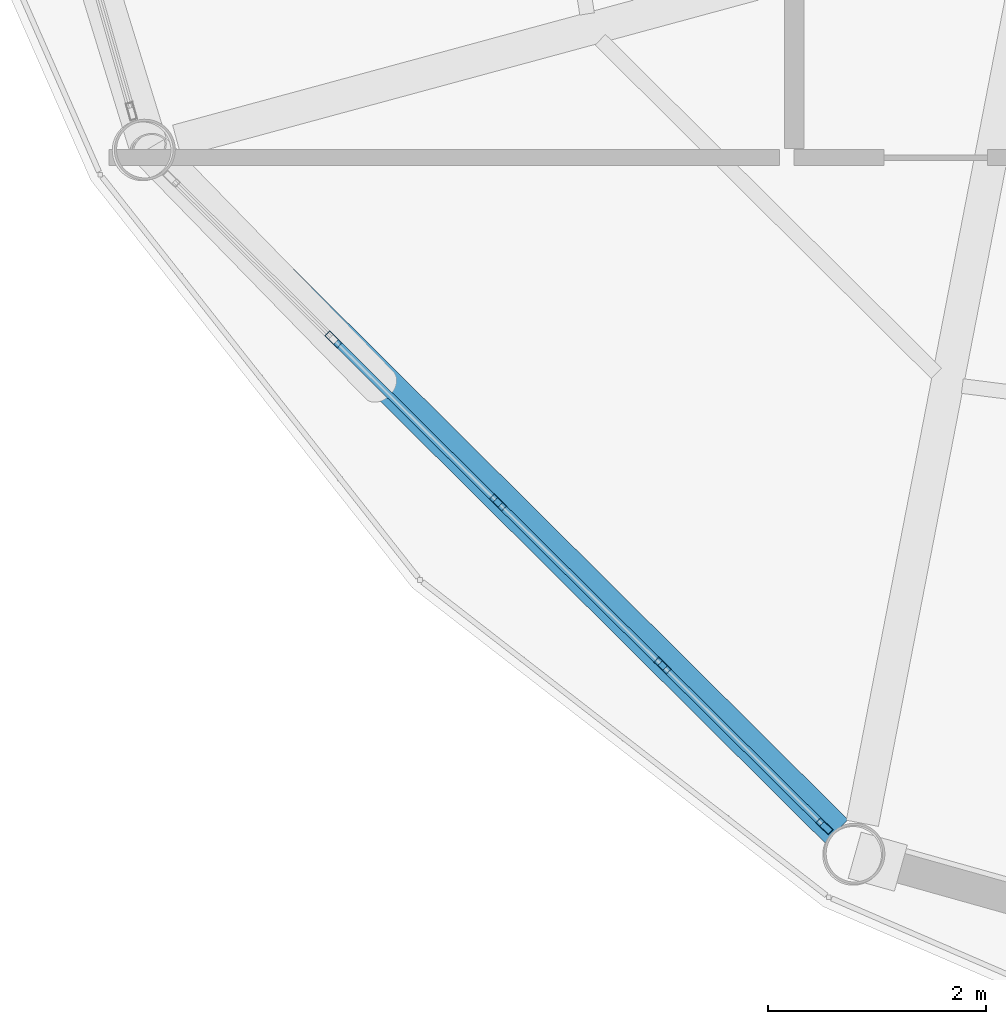
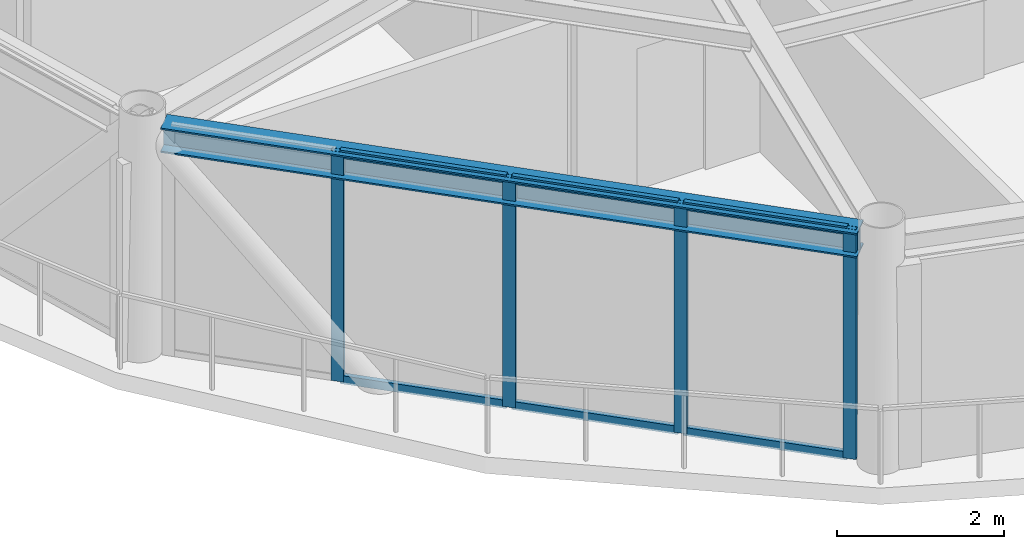
# One storey, part 2 of 25: 10 members, 1 beam, 1 element without a shape of its own.
"""IFC4 building model written with IfcOpenShell, lengths in metres."""

import ifcopenshell
import ifcopenshell.guid

model = None  # the IFC model being written
_history = None  # IfcOwnerHistory: only IFC2X3 demands one
_inside = {}  # id of a spatial element -> (the spatial element, [elements in it])
_under = {}  # id of a project, library or spatial element -> (it, [spatial elements below it])
_declared = {}  # id of a project -> (the project, [libraries it declares])
_typed = {}  # id of a type object -> (the type object, [elements of that type])
_made_of = {}  # id of a material, layer set ... -> (it, [elements and type objects made of it])


def new_model(schema):
    """Start an empty IFC model of exactly this schema.

    Asked for "IFC4X3", IfcOpenShell would pick the latest addendum, in which some entities
    have other attributes; the version numbers below select the first issue.
    IFC2X3 requires an IfcOwnerHistory on every rooted entity: one is made here for all.
    """
    global model, _history
    if schema == "IFC4X3":
        model = ifcopenshell.file(schema_version=(4, 3, 0, 0))
    else:
        model = ifcopenshell.file(schema=schema)
    _inside.clear()
    _under.clear()
    _declared.clear()
    _typed.clear()
    _made_of.clear()
    _history = None
    if model.schema == "IFC2X3":
        org = make("IfcOrganization", Name="unknown")
        user = make(
            "IfcPersonAndOrganization",
            ThePerson=make("IfcPerson", FamilyName="unknown"),
            TheOrganization=org,
        )
        app = make(
            "IfcApplication",
            ApplicationDeveloper=org,
            Version="unknown",
            ApplicationFullName="unknown",
            ApplicationIdentifier="unknown",
        )
        _history = make(
            "IfcOwnerHistory",
            OwningUser=user,
            OwningApplication=app,
            ChangeAction="ADDED",
            CreationDate=0,
        )
    return model


def make(cls, **values):
    """One entity of the class cls with the attributes given. An attribute that is None is left unset."""
    return model.create_entity(
        cls, **{name: value for name, value in values.items() if value is not None}
    )


def rooted(cls, **values):
    """An entity with a GlobalId (a new one), such as an element, a storey or a relation."""
    return make(cls, GlobalId=ifcopenshell.guid.new(), OwnerHistory=_history, **values)


def si_unit(unit_type, name, prefix=None):
    """IfcSIUnit, for example si_unit("LENGTHUNIT", "METRE", prefix="MILLI")."""
    return make("IfcSIUnit", UnitType=unit_type, Prefix=prefix, Name=name)


def assignment(units):
    """IfcUnitAssignment: the units of a project."""
    return None if units is None else make("IfcUnitAssignment", Units=units)


def point(xyz):
    """IfcCartesianPoint."""
    return None if xyz is None else make("IfcCartesianPoint", Coordinates=xyz)


def direction(xyz):
    """IfcDirection."""
    return None if xyz is None else make("IfcDirection", DirectionRatios=xyz)


def frame(location, z_axis=None, x_axis=None):
    """IfcAxis2Placement3D, a coordinate frame: its origin and axes. An axis left out is left unset."""
    return make(
        "IfcAxis2Placement3D",
        Location=point(location),
        Axis=direction(z_axis),
        RefDirection=direction(x_axis),
    )


def frame_2d(location, x_axis=None):
    """IfcAxis2Placement2D, a coordinate frame in the plane: its origin and x axis."""
    return make(
        "IfcAxis2Placement2D", Location=point(location), RefDirection=direction(x_axis)
    )


def origin():
    """The frame at (0, 0, 0) with its axes left unset."""
    return frame((0.0, 0.0, 0.0))


def origin_2d():
    """The frame at (0, 0) in the plane with its x axis left unset."""
    return frame_2d((0.0, 0.0))


def place(relative_to, where):
    """IfcLocalPlacement: puts the frame where relative to a parent placement (None: the world)."""
    return make(
        "IfcLocalPlacement", PlacementRelTo=relative_to, RelativePlacement=where
    )


def context(
    kind, dimensions, precision=None, world=None, true_north=None, identifier=None
):
    """IfcGeometricRepresentationContext, for example the 3D "Model" context."""
    return make(
        "IfcGeometricRepresentationContext",
        ContextIdentifier=identifier,
        ContextType=kind,
        CoordinateSpaceDimension=dimensions,
        Precision=precision,
        WorldCoordinateSystem=world,
        TrueNorth=true_north,
    )


def subcontext(parent, identifier, kind, view, scale=None):
    """IfcGeometricRepresentationSubContext, for example "Body" below "Model"."""
    return make(
        "IfcGeometricRepresentationSubContext",
        ContextIdentifier=identifier,
        ContextType=kind,
        ParentContext=parent,
        TargetScale=scale,
        TargetView=view,
    )


def project(units=None, contexts=None):
    """IfcProject with its units and contexts."""
    return rooted(
        "IfcProject",
        Name="project",
        RepresentationContexts=contexts,
        UnitsInContext=assignment(units),
    )


def spatial(cls, under=None, at=None, **own):
    """A site, building, storey or space (cls), placed at a placement, below another one or the project."""
    s = rooted(cls, ObjectPlacement=at, **own)
    if under is not None:
        _under.setdefault(under.id(), (under, []))[1].append(s)
    return s


def profile(cls, at=None, kind="AREA", **sizes):
    """A parametric profile (cls). Its sizes go by their IFC names, for example OverallWidth=200.0."""
    return make(cls, ProfileType=kind, Position=at, **sizes)


def hollow_rectangle(**sizes):
    """IfcRectangleHollowProfileDef."""
    return profile("IfcRectangleHollowProfileDef", **sizes)


def i_section(**sizes):
    """IfcIShapeProfileDef."""
    return profile("IfcIShapeProfileDef", **sizes)


def extrude(swept, where, along, depth):
    """IfcExtrudedAreaSolid: the profile swept, set in the frame where, extruded along a direction by depth."""
    return make(
        "IfcExtrudedAreaSolid",
        SweptArea=swept,
        Position=where,
        ExtrudedDirection=direction(along),
        Depth=depth,
    )


def shape(context_of_items, identifier, shape_type, items):
    """IfcShapeRepresentation: the items that make up one representation, for example the "Body"."""
    return make(
        "IfcShapeRepresentation",
        ContextOfItems=context_of_items,
        RepresentationIdentifier=identifier,
        RepresentationType=shape_type,
        Items=items,
    )


def material(Name=None, Category=None):
    """IfcMaterial."""
    return make("IfcMaterial", Name=Name, Category=Category)


def layer(
    of_material, thickness, ventilated=None, Name=None, Category=None, Priority=None
):
    """IfcMaterialLayer: one layer of a wall or slab, of a material (None: an air gap)."""
    return make(
        "IfcMaterialLayer",
        Material=of_material,
        LayerThickness=thickness,
        IsVentilated=ventilated,
        Name=Name,
        Category=Category,
        Priority=Priority,
    )


def layer_set(layers, Name=None):
    """IfcMaterialLayerSet."""
    return make("IfcMaterialLayerSet", MaterialLayers=layers, LayerSetName=Name)


def material_profile(
    of_material, cross_section, Name=None, Category=None, Priority=None
):
    """IfcMaterialProfile: a cross section and its material."""
    return make(
        "IfcMaterialProfile",
        Name=Name,
        Material=of_material,
        Profile=cross_section,
        Priority=Priority,
        Category=Category,
    )


def profile_set(profiles, Name=None, composite=None):
    """IfcMaterialProfileSet."""
    return make(
        "IfcMaterialProfileSet",
        Name=Name,
        MaterialProfiles=profiles,
        CompositeProfile=composite,
    )


def made_of(thing, what):
    """Note that an element or type object is made of a material, layer set ...; save() writes the relation."""
    if what is not None:
        _made_of.setdefault(what.id(), (what, []))[1].append(thing)
    return thing


def type_object(cls, material=None, **own):
    """A type object (cls), such as IfcWallType, which elements share."""
    return made_of(rooted(cls, **own), material)


def element(
    cls,
    number,
    at=None,
    inside=None,
    cuts=None,
    type_object=None,
    material=None,
    context=None,
    identifier="Body",
    shape_type=None,
    held_by="IfcProductDefinitionShape",
    body=None,
    shapes=None,
    **own,
):
    """One element of the class cls, such as IfcWall. Its Tag is "e" and its number.

    at: its placement. inside: the storey or other place that contains it. cuts: it is an
    opening in that element (IfcRelVoidsElement). A single representation is given by context,
    identifier, shape_type and body (its items); several are given by shapes. held_by: the class
    of the entity that holds the representations. save() writes the other relations.
    """
    e = rooted(cls, Tag="e%d" % number, ObjectPlacement=at, **own)
    if body is not None:
        shapes = [shape(context, identifier, shape_type, body)]
    if shapes is not None:
        e.Representation = make(held_by, Representations=shapes)
    if inside is not None:
        _inside.setdefault(inside.id(), (inside, []))[1].append(e)
    if cuts is not None:
        rooted(
            "IfcRelVoidsElement", RelatingBuildingElement=cuts, RelatedOpeningElement=e
        )
    if type_object is not None:
        _typed.setdefault(type_object.id(), (type_object, []))[1].append(e)
    return made_of(e, material)


def aggregate(whole, parts):
    """IfcRelAggregates: a whole, such as a stair, and the parts it consists of."""
    return rooted("IfcRelAggregates", RelatingObject=whole, RelatedObjects=parts)


def save(model, path):
    """Write the relations noted so far, then the file.

    IfcRelAggregates (storeys below a building ...), IfcRelContainedInSpatialStructure (elements
    in a storey), IfcRelDefinesByType, IfcRelAssociatesMaterial and IfcRelDeclares: one each for
    every whole, place, type object, material and project.
    """
    for whole, parts in _under.values():
        aggregate(whole, parts)
    for where, things in _inside.values():
        rooted(
            "IfcRelContainedInSpatialStructure",
            RelatedElements=things,
            RelatingStructure=where,
        )
    for kind, things in _typed.values():
        rooted("IfcRelDefinesByType", RelatedObjects=things, RelatingType=kind)
    for what, things in _made_of.values():
        rooted("IfcRelAssociatesMaterial", RelatedObjects=things, RelatingMaterial=what)
    for by, libraries in _declared.values():
        rooted("IfcRelDeclares", RelatingContext=by, RelatedDefinitions=libraries)
    model.write(path)


model = new_model("IFC4")

# Units and contexts
model_context = context("Model", 3, precision=1e-05, world=origin(), true_north=direction((0.0, 1.0)))
body_context = subcontext(model_context, "Body", "Model", "MODEL_VIEW")
ifc_project = project(units=[si_unit("LENGTHUNIT", "METRE"), si_unit("AREAUNIT", "SQUARE_METRE"), si_unit("VOLUMEUNIT", "CUBIC_METRE"), si_unit("PLANEANGLEUNIT", "RADIAN"), si_unit("MASSUNIT", "GRAM", prefix="KILO")], contexts=[model_context])

# Site, building, storey
site_placement = place(None, origin())
site = spatial("IfcSite", under=ifc_project, at=site_placement, CompositionType="ELEMENT")
building_placement = place(site_placement, origin())
building = spatial("IfcBuilding", under=site, at=building_placement, Name="Varnakorn Sky Granary", CompositionType="ELEMENT")
storey_placement = place(building_placement, frame((0.0, 0.0, 277.800048828125)))
storey = spatial("IfcBuildingStorey", under=building, at=storey_placement, Name="L71", CompositionType="ELEMENT", Elevation=277.800048828125)

# Beam
ifc_material_1 = material(Name="Steel S355JR", Category="steel")
ifc_material_profile_1 = material_profile(ifc_material_1, i_section(OverallWidth=0.300048828125, OverallDepth=0.360107421875, WebThickness=0.012451171875, FlangeThickness=0.0224609375, at=origin_2d()), Name="HE 360 B")
ifc_profile_set_1 = profile_set([ifc_material_profile_1], Name="Steel S355JR")
beam_type = type_object("IfcBeamType", Name="BM-SPD-Z5", PredefinedType="SPANDREL", material=ifc_profile_set_1)
beam_placement = place(storey_placement, frame((-10.33447265625, -9.0029296875, 3.179931640625), z_axis=(0.70945121475, -0.704754548683, 0.0), x_axis=(0.704754548683, 0.70945121475, 0.0)))
element("IfcBeam", 1, at=beam_placement, inside=storey, type_object=beam_type, Name="Perimeter Spandrel Ring Beam RB08 L71", PredefinedType="SPANDREL", context=body_context, shape_type="SweptSolid", body=[
    extrude(i_section(OverallWidth=0.300048828125, OverallDepth=0.360107421875, WebThickness=0.012451171875, FlangeThickness=0.0224609375, at=origin_2d()), origin(), (0.0, 0.0, 1.0), 8.62890625),
])

# Curtain wall, members
ifc_material_2 = material(Name="Anodised Bronze Aluminium Alloy 6063-T6", Category="aluminium")
ifc_layer = layer(ifc_material_2, 0.159912109375, Name="Anodised Bronze Aluminium Alloy 6063-T6")
ifc_layer_set = layer_set([ifc_layer], Name="Anodised Bronze Aluminium Alloy 6063-T6")
curtain_wall_type = type_object("IfcCurtainWallType", Name="CW-OFF-1", PredefinedType="USERDEFINED", material=ifc_layer_set)
curtain_wall_placement = place(storey_placement, origin())
curtain_wall = element("IfcCurtainWall", 2, at=curtain_wall_placement, inside=storey, type_object=curtain_wall_type, Name="Unitised Curtain Wall CW6 CW-L71-B08", ObjectType="CURTAIN WALL", PredefinedType="USERDEFINED")
ifc_material_profile_2 = material_profile(ifc_material_2, hollow_rectangle(XDim=0.06494140625, YDim=0.159912109375, WallThickness=0.00341796875, at=origin_2d()), Name="ALU MULL 65x160")
ifc_profile_set_2 = profile_set([ifc_material_profile_2], Name="Anodised Bronze Aluminium Alloy 6063-T6")
member_type_1 = type_object("IfcMemberType", Name="CW-OFF-1-MULL", PredefinedType="MULLION", material=ifc_profile_set_2)
member_1_placement = place(storey_placement, frame((-4.3232421875, -15.038330078125, 0.0), z_axis=(0.0, 0.0, 1.0), x_axis=(-0.704102293926, -0.71009855632, 0.0)))
member_1 = element("IfcMember", 3, at=member_1_placement, type_object=member_type_1, Name="CW6 mullion 1", PredefinedType="MULLION", context=body_context, shape_type="SweptSolid", body=[
    extrude(hollow_rectangle(XDim=0.06494140625, YDim=0.159912109375, WallThickness=0.00341796875, at=origin_2d()), origin(), (0.0, 0.0, 1.0), 3.35986328125),
])
member_2_placement = place(storey_placement, frame((-5.81005859375, -13.56396484375, 0.0), z_axis=(0.0, 0.0, 1.0), x_axis=(-0.704102293926, -0.71009855632, 0.0)))
member_2 = element("IfcMember", 4, at=member_2_placement, type_object=member_type_1, Name="CW6 mullion 2", PredefinedType="MULLION", context=body_context, shape_type="SweptSolid", body=[
    extrude(hollow_rectangle(XDim=0.06494140625, YDim=0.159912109375, WallThickness=0.00341796875, at=origin_2d()), origin(), (0.0, 0.0, 1.0), 3.35986328125),
])
member_3_placement = place(storey_placement, frame((-7.31982421875, -12.06689453125, 0.0), z_axis=(0.0, 0.0, 1.0), x_axis=(-0.704102293926, -0.71009855632, 0.0)))
member_3 = element("IfcMember", 5, at=member_3_placement, type_object=member_type_1, Name="CW6 mullion 3", PredefinedType="MULLION", context=body_context, shape_type="SweptSolid", body=[
    extrude(hollow_rectangle(XDim=0.06494140625, YDim=0.159912109375, WallThickness=0.00341796875, at=origin_2d()), origin(), (0.0, 0.0, 1.0), 3.35986328125),
])
member_4_placement = place(storey_placement, frame((-8.829833984375, -10.569580078125, 0.0), z_axis=(0.0, 0.0, 1.0), x_axis=(-0.704102293926, -0.71009855632, 0.0)))
member_4 = element("IfcMember", 6, at=member_4_placement, type_object=member_type_1, Name="CW6 mullion 4", PredefinedType="MULLION", context=body_context, shape_type="SweptSolid", body=[
    extrude(hollow_rectangle(XDim=0.06494140625, YDim=0.159912109375, WallThickness=0.00341796875, at=origin_2d()), origin(), (0.0, 0.0, 1.0), 3.35986328125),
])
ifc_material_profile_3 = material_profile(ifc_material_2, hollow_rectangle(XDim=0.06494140625, YDim=0.1201171875, WallThickness=0.00341796875, at=origin_2d()), Name="ALU TRAN 65x120")
ifc_profile_set_3 = profile_set([ifc_material_profile_3], Name="Anodised Bronze Aluminium Alloy 6063-T6")
member_type_2 = type_object("IfcMemberType", Name="CW-OFF-1-TRAN", PredefinedType="USERDEFINED", material=ifc_profile_set_3)
member_5_placement = place(storey_placement, frame((-4.34619140625, -15.015380859375, 0.032470703125), z_axis=(-0.71010880712, 0.704091955678, 0.0), x_axis=(-0.704091955678, -0.71010880712, 0.0)))
member_5 = element("IfcMember", 7, at=member_5_placement, type_object=member_type_2, Name="CW6 transom 1.1", ObjectType="TRANSOM", PredefinedType="USERDEFINED", context=body_context, shape_type="SweptSolid", body=[
    extrude(hollow_rectangle(XDim=0.06494140625, YDim=0.1201171875, WallThickness=0.00341796875, at=origin_2d()), origin(), (0.0, 0.0, 1.0), 2.02880859375),
])
member_6_placement = place(storey_placement, frame((-4.34619140625, -15.015380859375, 3.327392578125), z_axis=(-0.71010880712, 0.704091955678, 0.0), x_axis=(-0.704091955678, -0.71010880712, 0.0)))
member_6 = element("IfcMember", 8, at=member_6_placement, type_object=member_type_2, Name="CW6 transom 1.2", ObjectType="TRANSOM", PredefinedType="USERDEFINED", context=body_context, shape_type="SweptSolid", body=[
    extrude(hollow_rectangle(XDim=0.06494140625, YDim=0.1201171875, WallThickness=0.00341796875, at=origin_2d()), origin(), (0.0, 0.0, 1.0), 2.02880859375),
])
member_7_placement = place(storey_placement, frame((-5.8330078125, -13.541015625, 0.032470703125), z_axis=(-0.710120356821, 0.704080307088, 0.0), x_axis=(-0.704080307088, -0.710120356821, 0.0)))
member_7 = element("IfcMember", 9, at=member_7_placement, type_object=member_type_2, Name="CW6 transom 2.1", ObjectType="TRANSOM", PredefinedType="USERDEFINED", context=body_context, shape_type="SweptSolid", body=[
    extrude(hollow_rectangle(XDim=0.06494140625, YDim=0.1201171875, WallThickness=0.00341796875, at=origin_2d()), origin(), (0.0, 0.0, 1.0), 2.0615234375),
])
member_8_placement = place(storey_placement, frame((-5.8330078125, -13.541015625, 3.327392578125), z_axis=(-0.710120356821, 0.704080307088, 0.0), x_axis=(-0.704080307088, -0.710120356821, 0.0)))
member_8 = element("IfcMember", 10, at=member_8_placement, type_object=member_type_2, Name="CW6 transom 2.2", ObjectType="TRANSOM", PredefinedType="USERDEFINED", context=body_context, shape_type="SweptSolid", body=[
    extrude(hollow_rectangle(XDim=0.06494140625, YDim=0.1201171875, WallThickness=0.00341796875, at=origin_2d()), origin(), (0.0, 0.0, 1.0), 2.0615234375),
])
member_9_placement = place(storey_placement, frame((-7.343017578125, -12.0439453125, 0.032470703125), z_axis=(-0.710061639055, 0.704139523633, 0.0), x_axis=(-0.704139523633, -0.710061639055, 0.0)))
member_9 = element("IfcMember", 11, at=member_9_placement, type_object=member_type_2, Name="CW6 transom 3.1", ObjectType="TRANSOM", PredefinedType="USERDEFINED", context=body_context, shape_type="SweptSolid", body=[
    extrude(hollow_rectangle(XDim=0.06494140625, YDim=0.1201171875, WallThickness=0.00341796875, at=origin_2d()), origin(), (0.0, 0.0, 1.0), 2.061279296875),
])
member_10_placement = place(storey_placement, frame((-7.343017578125, -12.0439453125, 3.327392578125), z_axis=(-0.710061639055, 0.704139523633, 0.0), x_axis=(-0.704139523633, -0.710061639055, 0.0)))
member_10 = element("IfcMember", 12, at=member_10_placement, type_object=member_type_2, Name="CW6 transom 3.2", ObjectType="TRANSOM", PredefinedType="USERDEFINED", context=body_context, shape_type="SweptSolid", body=[
    extrude(hollow_rectangle(XDim=0.06494140625, YDim=0.1201171875, WallThickness=0.00341796875, at=origin_2d()), origin(), (0.0, 0.0, 1.0), 2.061279296875),
])
aggregate(curtain_wall, [member_1, member_2, member_3, member_4, member_5, member_6, member_7, member_8, member_9, member_10])

save(model, "model.ifc")
